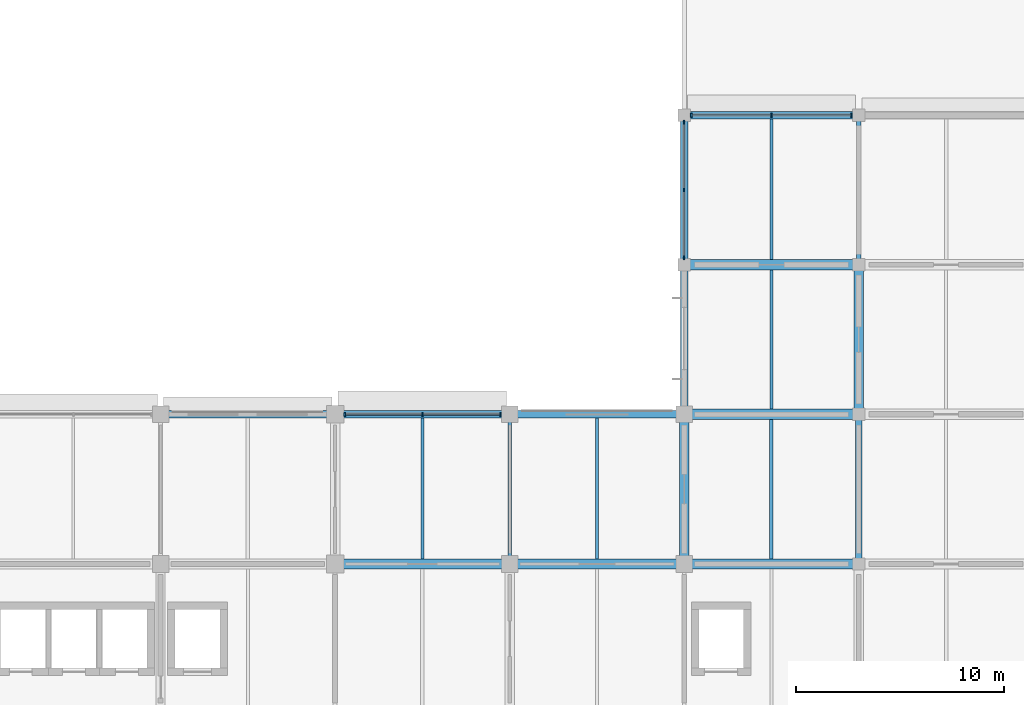
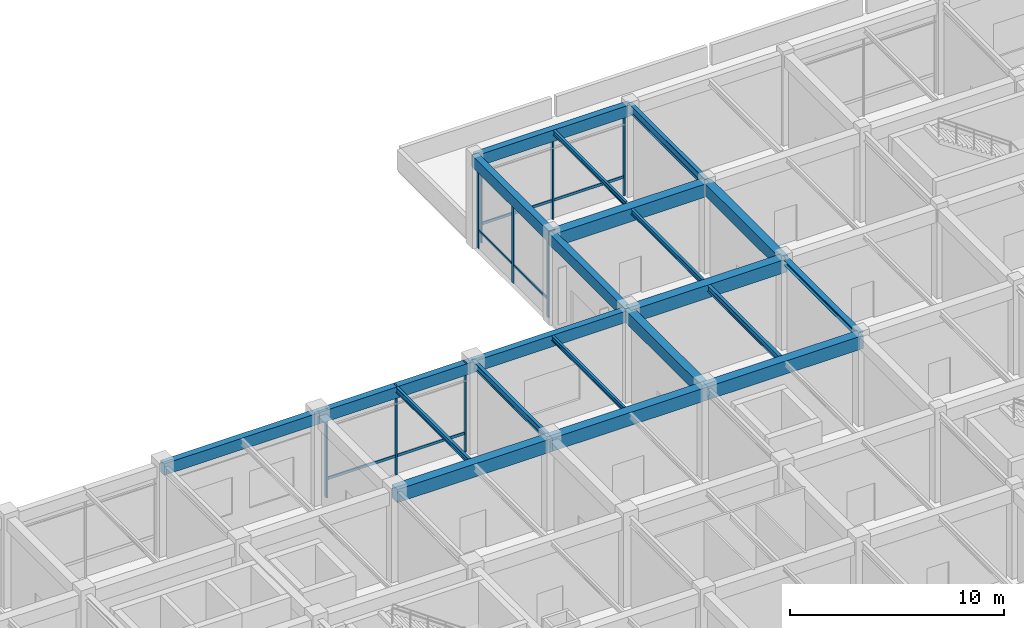
# One storey, part 13 of 38: 21 beams, 15 members, 3 elements without a shape of their own.
"""IFC4 building model written with IfcOpenShell, lengths in metres."""

from ifc_helpers import new_model, si_unit, derived_unit, direction, frame, origin, origin_2d, place, context, subcontext, project, spatial, rectangle, i_section, extrude, material, material_profile, profile_set, type_object, element, aggregate, save


model = new_model("IFC4")

# Units and contexts
model_context = context("Model", 3, precision=1e-05, world=origin(), true_north=direction((0.0, 1.0)))
body_context = subcontext(model_context, "Body", "Model", "MODEL_VIEW")
ifc_project = project(units=[si_unit("LENGTHUNIT", "METRE"), si_unit("AREAUNIT", "SQUARE_METRE"), si_unit("VOLUMEUNIT", "CUBIC_METRE"), si_unit("PLANEANGLEUNIT", "RADIAN"), si_unit("MASSUNIT", "GRAM", prefix="KILO"), derived_unit("THERMALTRANSMITTANCEUNIT", [(si_unit("MASSUNIT", "GRAM", prefix="KILO"), 1), (si_unit("TIMEUNIT", "SECOND"), -3), (si_unit("THERMODYNAMICTEMPERATUREUNIT", "KELVIN"), -1)])], contexts=[model_context])

# Site, building, storey
site_placement = place(None, origin())
site = spatial("IfcSite", under=ifc_project, at=site_placement, CompositionType="ELEMENT")
building_placement = place(site_placement, origin())
building = spatial("IfcBuilding", under=site, at=building_placement, Name="Veldstrom Oceanarium and Marine Research Institute", CompositionType="ELEMENT")
storey_placement = place(building_placement, frame((0.0, 0.0, 11.39990234375)))
storey = spatial("IfcBuildingStorey", under=building, at=storey_placement, Name="L02", CompositionType="ELEMENT", Elevation=11.39990234375)

# Curtain wall, members
ifc_material_1 = material(Name="Anodised Aluminium Framing", Category="aluminium")
curtain_wall_type_1 = type_object("IfcCurtainWallType", Name="ARC-CW-CW02", PredefinedType="USERDEFINED", material=ifc_material_1)
curtain_wall_1_placement = place(storey_placement, origin())
curtain_wall_1 = element("IfcCurtainWall", 1, at=curtain_wall_1_placement, inside=storey, type_object=curtain_wall_type_1, Name="Curtain Wall CW02 CW-L02-034", ObjectType="Curtain wall", PredefinedType="USERDEFINED")
ifc_material_2 = material(Name="Anodised Aluminium Framing", Category="aluminium")
ifc_material_profile_1 = material_profile(ifc_material_2, rectangle(XDim=0.074951171875, YDim=0.179931640625, at=origin_2d()), Name="ALU-MUL-75x180")
ifc_profile_set_1 = profile_set([ifc_material_profile_1], Name="Anodised Aluminium Framing")
member_type_1 = type_object("IfcMemberType", Name="ARC-MUL-ML1", PredefinedType="MULLION", material=ifc_profile_set_1)
member_1_placement = place(storey_placement, frame((101.264892578125, 72.0, 0.0), z_axis=(0.0, 0.0, 1.0), x_axis=(1.0, 0.0, 0.0)))
member_1 = element("IfcMember", 2, at=member_1_placement, type_object=member_type_1, Name="Curtain Wall Mullion CW-L02-034-MUL-1", PredefinedType="MULLION", context=body_context, shape_type="SweptSolid", body=[
    extrude(rectangle(XDim=0.074951171875, YDim=0.179931640625, at=origin_2d()), origin(), (0.0, 0.0, 1.0), 5.10009765625),
])
member_2_placement = place(storey_placement, frame((105.012451171875, 72.0, 0.0), z_axis=(0.0, 0.0, 1.0), x_axis=(1.0, 0.0, 0.0)))
member_2 = element("IfcMember", 3, at=member_2_placement, type_object=member_type_1, Name="Curtain Wall Mullion CW-L02-034-MUL-2", PredefinedType="MULLION", context=body_context, shape_type="SweptSolid", body=[
    extrude(rectangle(XDim=0.074951171875, YDim=0.179931640625, at=origin_2d()), origin(), (0.0, 0.0, 1.0), 5.10009765625),
])
member_3_placement = place(storey_placement, frame((108.760009765625, 72.0, 0.0), z_axis=(0.0, 0.0, 1.0), x_axis=(1.0, 0.0, 0.0)))
member_3 = element("IfcMember", 4, at=member_3_placement, type_object=member_type_1, Name="Curtain Wall Mullion CW-L02-034-MUL-3", PredefinedType="MULLION", context=body_context, shape_type="SweptSolid", body=[
    extrude(rectangle(XDim=0.074951171875, YDim=0.179931640625, at=origin_2d()), origin(), (0.0, 0.0, 1.0), 5.10009765625),
])

curtain_wall_2_placement = place(storey_placement, origin())
curtain_wall_2 = element("IfcCurtainWall", 5, at=curtain_wall_2_placement, inside=storey, type_object=curtain_wall_type_1, Name="Curtain Wall CW02 CW-L02-036", ObjectType="Curtain wall", PredefinedType="USERDEFINED")
member_4_placement = place(storey_placement, frame((117.93994140625, 86.39990234375, 0.0), z_axis=(0.0, 0.0, 1.0), x_axis=(1.0, 0.0, 0.0)))
member_4 = element("IfcMember", 6, at=member_4_placement, type_object=member_type_1, Name="Curtain Wall Mullion CW-L02-036-MUL-1", PredefinedType="MULLION", context=body_context, shape_type="SweptSolid", body=[
    extrude(rectangle(XDim=0.074951171875, YDim=0.179931640625, at=origin_2d()), origin(), (0.0, 0.0, 1.0), 5.10009765625),
])
member_5_placement = place(storey_placement, frame((121.800048828125, 86.39990234375, 0.0), z_axis=(0.0, 0.0, 1.0), x_axis=(1.0, 0.0, 0.0)))
member_5 = element("IfcMember", 7, at=member_5_placement, type_object=member_type_1, Name="Curtain Wall Mullion CW-L02-036-MUL-2", PredefinedType="MULLION", context=body_context, shape_type="SweptSolid", body=[
    extrude(rectangle(XDim=0.074951171875, YDim=0.179931640625, at=origin_2d()), origin(), (0.0, 0.0, 1.0), 5.10009765625),
])
member_6_placement = place(storey_placement, frame((125.659912109375, 86.39990234375, 0.0), z_axis=(0.0, 0.0, 1.0), x_axis=(1.0, 0.0, 0.0)))
member_6 = element("IfcMember", 8, at=member_6_placement, type_object=member_type_1, Name="Curtain Wall Mullion CW-L02-036-MUL-3", PredefinedType="MULLION", context=body_context, shape_type="SweptSolid", body=[
    extrude(rectangle(XDim=0.074951171875, YDim=0.179931640625, at=origin_2d()), origin(), (0.0, 0.0, 1.0), 5.10009765625),
])

ifc_material_3 = material(Name="Anodised Aluminium Framing", Category="aluminium")
curtain_wall_type_2 = type_object("IfcCurtainWallType", Name="ARC-CW-CW06", PredefinedType="USERDEFINED", material=ifc_material_3)
curtain_wall_3_placement = place(storey_placement, origin())
curtain_wall_3 = element("IfcCurtainWall", 9, at=curtain_wall_3_placement, inside=storey, type_object=curtain_wall_type_2, Name="Curtain Wall CW06 CW-L02-037", ObjectType="Curtain wall", PredefinedType="USERDEFINED")
member_7_placement = place(storey_placement, frame((117.60009765625, 79.5400390625, 0.0), z_axis=(0.0, 0.0, 1.0), x_axis=(1.0, 0.0, 0.0)))
member_7 = element("IfcMember", 10, at=member_7_placement, type_object=member_type_1, Name="Curtain Wall Mullion CW-L02-037-MUL-1", PredefinedType="MULLION", context=body_context, shape_type="SweptSolid", body=[
    extrude(rectangle(XDim=0.074951171875, YDim=0.179931640625, at=origin_2d()), origin(), (0.0, 0.0, 1.0), 5.10009765625),
])
member_8_placement = place(storey_placement, frame((117.60009765625, 82.800048828125, 0.0), z_axis=(0.0, 0.0, 1.0), x_axis=(1.0, 0.0, 0.0)))
member_8 = element("IfcMember", 11, at=member_8_placement, type_object=member_type_1, Name="Curtain Wall Mullion CW-L02-037-MUL-2", PredefinedType="MULLION", context=body_context, shape_type="SweptSolid", body=[
    extrude(rectangle(XDim=0.074951171875, YDim=0.179931640625, at=origin_2d()), origin(), (0.0, 0.0, 1.0), 5.10009765625),
])
member_9_placement = place(storey_placement, frame((117.60009765625, 86.06005859375, 0.0), z_axis=(0.0, 0.0, 1.0), x_axis=(1.0, 0.0, 0.0)))
member_9 = element("IfcMember", 12, at=member_9_placement, type_object=member_type_1, Name="Curtain Wall Mullion CW-L02-037-MUL-3", PredefinedType="MULLION", context=body_context, shape_type="SweptSolid", body=[
    extrude(rectangle(XDim=0.074951171875, YDim=0.179931640625, at=origin_2d()), origin(), (0.0, 0.0, 1.0), 5.10009765625),
])

# Member
ifc_material_4 = material(Name="Anodised Aluminium Framing", Category="aluminium")
ifc_material_profile_2 = material_profile(ifc_material_4, rectangle(XDim=0.074951171875, YDim=0.14990234375, at=origin_2d()), Name="ALU-TRN-75x150")
ifc_profile_set_2 = profile_set([ifc_material_profile_2], Name="Anodised Aluminium Framing")
member_type_2 = type_object("IfcMemberType", Name="ARC-TRN-TR1", PredefinedType="USERDEFINED", material=ifc_profile_set_2)
member_10_placement = place(storey_placement, frame((101.304931640625, 72.0, 1.050048828125), z_axis=(1.0, 0.0, 0.0), x_axis=(0.0, 1.0, 0.0)))
member_10 = element("IfcMember", 13, at=member_10_placement, type_object=member_type_2, Name="Curtain Wall Transom CW-L02-034-TRN-1", ObjectType="Transom", PredefinedType="USERDEFINED", context=body_context, shape_type="SweptSolid", body=[
    extrude(rectangle(XDim=0.074951171875, YDim=0.14990234375, at=origin_2d()), origin(), (0.0, 0.0, 1.0), 3.66748046875),
])

member_11_placement = place(storey_placement, frame((105.052490234375, 72.0, 1.050048828125), z_axis=(1.0, 0.0, 0.0), x_axis=(0.0, 1.0, 0.0)))
member_11 = element("IfcMember", 14, at=member_11_placement, type_object=member_type_2, Name="Curtain Wall Transom CW-L02-034-TRN-2", ObjectType="Transom", PredefinedType="USERDEFINED", context=body_context, shape_type="SweptSolid", body=[
    extrude(rectangle(XDim=0.074951171875, YDim=0.14990234375, at=origin_2d()), origin(), (0.0, 0.0, 1.0), 3.66748046875),
])

aggregate(curtain_wall_1, [member_1, member_2, member_3, member_10, member_11])

member_12_placement = place(storey_placement, frame((117.97998046875, 86.39990234375, 1.050048828125), z_axis=(1.0, 0.0, 0.0), x_axis=(0.0, 1.0, 0.0)))
member_12 = element("IfcMember", 15, at=member_12_placement, type_object=member_type_2, Name="Curtain Wall Transom CW-L02-036-TRN-1", ObjectType="Transom", PredefinedType="USERDEFINED", context=body_context, shape_type="SweptSolid", body=[
    extrude(rectangle(XDim=0.074951171875, YDim=0.14990234375, at=origin_2d()), origin(), (0.0, 0.0, 1.0), 3.780029296875),
])

member_13_placement = place(storey_placement, frame((121.840087890625, 86.39990234375, 1.050048828125), z_axis=(1.0, 0.0, 0.0), x_axis=(0.0, 1.0, 0.0)))
member_13 = element("IfcMember", 16, at=member_13_placement, type_object=member_type_2, Name="Curtain Wall Transom CW-L02-036-TRN-2", ObjectType="Transom", PredefinedType="USERDEFINED", context=body_context, shape_type="SweptSolid", body=[
    extrude(rectangle(XDim=0.074951171875, YDim=0.14990234375, at=origin_2d()), origin(), (0.0, 0.0, 1.0), 3.780029296875),
])

aggregate(curtain_wall_2, [member_4, member_5, member_6, member_12, member_13])

ifc_material_5 = material(Name="Anodised Aluminium Framing", Category="aluminium")
ifc_material_profile_3 = material_profile(ifc_material_5, rectangle(XDim=0.06494140625, YDim=0.1201171875, at=origin_2d()), Name="ALU-TRN-65x120")
ifc_profile_set_3 = profile_set([ifc_material_profile_3], Name="Anodised Aluminium Framing")
member_type_3 = type_object("IfcMemberType", Name="ARC-TRN-TR2", PredefinedType="USERDEFINED", material=ifc_profile_set_3)
member_14_placement = place(storey_placement, frame((117.60009765625, 79.580078125, 1.050048828125), z_axis=(0.0, 1.0, 0.0), x_axis=(-1.0, 0.0, 0.0)))
member_14 = element("IfcMember", 17, at=member_14_placement, type_object=member_type_3, Name="Curtain Wall Transom CW-L02-037-TRN-1", ObjectType="Transom", PredefinedType="USERDEFINED", context=body_context, shape_type="SweptSolid", body=[
    extrude(rectangle(XDim=0.06494140625, YDim=0.1201171875, at=origin_2d()), origin(), (0.0, 0.0, 1.0), 3.179931640625),
])

member_15_placement = place(storey_placement, frame((117.60009765625, 82.840087890625, 1.050048828125), z_axis=(0.0, 1.0, 0.0), x_axis=(-1.0, 0.0, 0.0)))
member_15 = element("IfcMember", 18, at=member_15_placement, type_object=member_type_3, Name="Curtain Wall Transom CW-L02-037-TRN-2", ObjectType="Transom", PredefinedType="USERDEFINED", context=body_context, shape_type="SweptSolid", body=[
    extrude(rectangle(XDim=0.06494140625, YDim=0.1201171875, at=origin_2d()), origin(), (0.0, 0.0, 1.0), 3.179931640625),
])

aggregate(curtain_wall_3, [member_7, member_8, member_9, member_14, member_15])

# Beams
ifc_material_6 = material(Name="Concrete C40/50", Category="concrete")
ifc_material_profile_4 = material_profile(ifc_material_6, rectangle(XDim=0.5, YDim=0.75, at=origin_2d()), Name="RC-BM-500x750")
ifc_profile_set_4 = profile_set([ifc_material_profile_4], Name="Concrete C40/50")
beam_type_1 = type_object("IfcBeamType", Name="STR-BM-B03", PredefinedType="BEAM", material=ifc_profile_set_4)
beam_1_placement = place(storey_placement, frame((100.800048828125, 64.800048828125, 4.72021484375), z_axis=(1.0, 0.0, 0.0), x_axis=(0.0, 1.0, 0.0)))
element("IfcBeam", 19, at=beam_1_placement, inside=storey, type_object=beam_type_1, Name="Primary Beam B03 L02-1575", PredefinedType="BEAM", context=body_context, shape_type="SweptSolid", body=[
    extrude(rectangle(XDim=0.5, YDim=0.75, at=origin_2d()), origin(), (0.0, 0.0, 1.0), 8.39990234375),
])
beam_2_placement = place(storey_placement, frame((109.199951171875, 64.800048828125, 4.72021484375), z_axis=(1.0, 0.0, 0.0), x_axis=(0.0, 1.0, 0.0)))
element("IfcBeam", 20, at=beam_2_placement, inside=storey, type_object=beam_type_1, Name="Primary Beam B03 L02-1580", PredefinedType="BEAM", context=body_context, shape_type="SweptSolid", body=[
    extrude(rectangle(XDim=0.5, YDim=0.75, at=origin_2d()), origin(), (0.0, 0.0, 1.0), 8.400146484375),
])
for number, where, z_axis, x_axis, name in (
    (21, (117.60009765625, 64.800048828125, 4.72021484375), (1.0, 0.0, 0.0), (0.0, 1.0, 0.0), "Primary Beam B03 L02-1585"),
    (22, (117.60009765625, 72.0, 4.72021484375), (1.0, 0.0, 0.0), (0.0, 1.0, 0.0), "Primary Beam B03 L02-1586"),
    (23, (117.60009765625, 79.199951171875, 4.72021484375), (1.0, 0.0, 0.0), (0.0, 1.0, 0.0), "Primary Beam B03 L02-1587"),
):
    element("IfcBeam", number, at=place(storey_placement, frame(where, z_axis=z_axis, x_axis=x_axis)), inside=storey, type_object=beam_type_1, Name=name, PredefinedType="BEAM", context=body_context, shape_type="SweptSolid", body=[
        extrude(rectangle(XDim=0.5, YDim=0.75, at=origin_2d()), origin(), (0.0, 0.0, 1.0), 8.39990234375),
    ])
ifc_material_7 = material(Name="Concrete C40/50", Category="concrete")
ifc_material_profile_5 = material_profile(ifc_material_7, rectangle(XDim=0.449951171875, YDim=0.699951171875, at=origin_2d()), Name="RC-BM-450x700")
ifc_profile_set_5 = profile_set([ifc_material_profile_5], Name="Concrete C40/50")
beam_type_2 = type_object("IfcBeamType", Name="STR-BM-B04", PredefinedType="BEAM", material=ifc_profile_set_5)
for number, where, z_axis, x_axis, name in (
    (24, (117.60009765625, 64.800048828125, 4.7451171875), (0.0, 1.0, 0.0), (-1.0, 0.0, 0.0), "Primary Beam B04 L02-1708"),
    (25, (126.0, 72.0, 4.7451171875), (0.0, 1.0, 0.0), (-1.0, 0.0, 0.0), "Primary Beam B04 L02-1715"),
):
    element("IfcBeam", number, at=place(storey_placement, frame(where, z_axis=z_axis, x_axis=x_axis)), inside=storey, type_object=beam_type_2, Name=name, PredefinedType="BEAM", context=body_context, shape_type="SweptSolid", body=[
        extrude(rectangle(XDim=0.449951171875, YDim=0.699951171875, at=origin_2d()), origin(), (0.0, 0.0, 1.0), 7.199951171875),
    ])
ifc_material_8 = material(Name="Steel S355JR", Category="steel")
ifc_material_profile_6 = material_profile(ifc_material_8, i_section(OverallWidth=0.300048828125, OverallDepth=0.2900390625, WebThickness=0.008544921875, FlangeThickness=0.013916015625, FilletRadius=0.027099609375, at=origin_2d()), Name="HEA 300")
ifc_profile_set_6 = profile_set([ifc_material_profile_6], Name="Steel S355JR")
beam_type_3 = type_object("IfcBeamType", Name="STR-BM-SB10", PredefinedType="BEAM", material=ifc_profile_set_6)
beam_3_placement = place(storey_placement, frame((126.0, 64.800048828125, 4.9501953125), z_axis=(0.0, 1.0, 0.0), x_axis=(-1.0, 0.0, 0.0)))
element("IfcBeam", 26, at=beam_3_placement, inside=storey, type_object=beam_type_3, Name="Steel Tie Beam SB10 L02-1714", PredefinedType="BEAM", context=body_context, shape_type="SweptSolid", body=[
    extrude(i_section(OverallWidth=0.300048828125, OverallDepth=0.2900390625, WebThickness=0.008544921875, FlangeThickness=0.013916015625, FilletRadius=0.027099609375, at=origin_2d()), origin(), (0.0, 0.0, 1.0), 7.199951171875),
])
ifc_material_9 = material(Name="Steel S355JR", Category="steel")
ifc_material_profile_7 = material_profile(ifc_material_9, i_section(OverallWidth=0.199951171875, OverallDepth=0.5, WebThickness=0.01025390625, FlangeThickness=0.01611328125, FilletRadius=0.02099609375, at=origin_2d()), Name="IPE 500")
ifc_profile_set_7 = profile_set([ifc_material_profile_7], Name="Steel S355JR")
beam_type_4 = type_object("IfcBeamType", Name="STR-BM-SB6", PredefinedType="BEAM", material=ifc_profile_set_7)
beam_4_placement = place(storey_placement, frame((126.0, 79.199951171875, 4.920166015625), z_axis=(0.0, 1.0, 0.0), x_axis=(-1.0, 0.0, 0.0)))
element("IfcBeam", 27, at=beam_4_placement, inside=storey, type_object=beam_type_4, Name="Steel Tie Beam SB6 L02-1716", PredefinedType="BEAM", context=body_context, shape_type="SweptSolid", body=[
    extrude(i_section(OverallWidth=0.199951171875, OverallDepth=0.5, WebThickness=0.01025390625, FlangeThickness=0.01611328125, FilletRadius=0.02099609375, at=origin_2d()), origin(), (0.0, 0.0, 1.0), 7.199951171875),
])
ifc_material_10 = material(Name="Steel S355JR", Category="steel")
ifc_material_profile_8 = material_profile(ifc_material_10, i_section(OverallWidth=0.179931640625, OverallDepth=0.39990234375, WebThickness=0.008544921875, FlangeThickness=0.013427734375, FilletRadius=0.02099609375, at=origin_2d()), Name="IPE 400")
ifc_profile_set_8 = profile_set([ifc_material_profile_8], Name="Steel S355JR")
beam_type_5 = type_object("IfcBeamType", Name="STR-BM-SB8", PredefinedType="BEAM", material=ifc_profile_set_8)
beam_5_placement = place(storey_placement, frame((109.199951171875, 64.800048828125, 4.89501953125), z_axis=(0.0, 1.0, 0.0), x_axis=(-1.0, 0.0, 0.0)))
element("IfcBeam", 28, at=beam_5_placement, inside=storey, type_object=beam_type_5, Name="Steel Tie Beam SB8 L02-1704", PredefinedType="BEAM", context=body_context, shape_type="SweptSolid", body=[
    extrude(i_section(OverallWidth=0.179931640625, OverallDepth=0.39990234375, WebThickness=0.008544921875, FlangeThickness=0.013427734375, FilletRadius=0.02099609375, at=origin_2d()), origin(), (0.0, 0.0, 1.0), 7.199951171875),
])
ifc_material_11 = material(Name="Steel S355JR", Category="steel")
ifc_material_profile_9 = material_profile(ifc_material_11, i_section(OverallWidth=0.169921875, OverallDepth=0.360107421875, WebThickness=0.008056640625, FlangeThickness=0.0126953125, FilletRadius=0.01806640625, at=origin_2d()), Name="IPE 360")
ifc_profile_set_9 = profile_set([ifc_material_profile_9], Name="Steel S355JR")
beam_type_6 = type_object("IfcBeamType", Name="STR-JST-SJ1", PredefinedType="JOIST", material=ifc_profile_set_9)
beam_6_placement = place(storey_placement, frame((121.800048828125, 65.050048828125, 4.9150390625), z_axis=(0.0, 1.0, 0.0), x_axis=(-1.0, 0.0, 0.0)))
element("IfcBeam", 29, at=beam_6_placement, inside=storey, type_object=beam_type_6, Name="Secondary Joist SJ1 L02-1814", PredefinedType="JOIST", context=body_context, shape_type="SweptSolid", body=[
    extrude(i_section(OverallWidth=0.169921875, OverallDepth=0.360107421875, WebThickness=0.008056640625, FlangeThickness=0.0126953125, FilletRadius=0.01806640625, at=origin_2d()), origin(), (0.0, 0.0, 1.0), 6.699951171875),
])
ifc_material_12 = material(Name="Steel S355JR", Category="steel")
ifc_material_profile_10 = material_profile(ifc_material_12, i_section(OverallWidth=0.14990234375, OverallDepth=0.300048828125, WebThickness=0.007080078125, FlangeThickness=0.0107421875, FilletRadius=0.014892578125, at=origin_2d()), Name="IPE 300")
ifc_profile_set_10 = profile_set([ifc_material_profile_10], Name="Steel S355JR")
beam_type_7 = type_object("IfcBeamType", Name="STR-JST-SJ2", PredefinedType="JOIST", material=ifc_profile_set_10)
beam_7_placement = place(storey_placement, frame((105.0, 65.050048828125, 4.945068359375), z_axis=(0.0, 1.0, 0.0), x_axis=(-1.0, 0.0, 0.0)))
element("IfcBeam", 30, at=beam_7_placement, inside=storey, type_object=beam_type_7, Name="Secondary Joist SJ2 L02-1806", PredefinedType="JOIST", context=body_context, shape_type="SweptSolid", body=[
    extrude(i_section(OverallWidth=0.14990234375, OverallDepth=0.300048828125, WebThickness=0.007080078125, FlangeThickness=0.0107421875, FilletRadius=0.014892578125, at=origin_2d()), origin(), (0.0, 0.0, 1.0), 6.77490234375),
])
beam_8_placement = place(storey_placement, frame((121.800048828125, 72.25, 4.945068359375), z_axis=(0.0, 1.0, 0.0), x_axis=(-1.0, 0.0, 0.0)))
element("IfcBeam", 31, at=beam_8_placement, inside=storey, type_object=beam_type_7, Name="Secondary Joist SJ2 L02-1815", PredefinedType="JOIST", context=body_context, shape_type="SweptSolid", body=[
    extrude(i_section(OverallWidth=0.14990234375, OverallDepth=0.300048828125, WebThickness=0.007080078125, FlangeThickness=0.0107421875, FilletRadius=0.014892578125, at=origin_2d()), origin(), (0.0, 0.0, 1.0), 6.699951171875),
])
ifc_material_13 = material(Name="Steel S355JR", Category="steel")
ifc_material_profile_11 = material_profile(ifc_material_13, i_section(OverallWidth=0.135009765625, OverallDepth=0.27001953125, WebThickness=0.006591796875, FlangeThickness=0.01025390625, FilletRadius=0.014892578125, at=origin_2d()), Name="IPE 270")
ifc_profile_set_11 = profile_set([ifc_material_profile_11], Name="Steel S355JR")
beam_type_8 = type_object("IfcBeamType", Name="STR-JST-SJ3", PredefinedType="JOIST", material=ifc_profile_set_11)
beam_9_placement = place(storey_placement, frame((113.39990234375, 65.050048828125, 4.960205078125), z_axis=(0.0, 1.0, 0.0), x_axis=(-1.0, 0.0, 0.0)))
element("IfcBeam", 32, at=beam_9_placement, inside=storey, type_object=beam_type_8, Name="Secondary Joist SJ3 L02-1810", PredefinedType="JOIST", context=body_context, shape_type="SweptSolid", body=[
    extrude(i_section(OverallWidth=0.135009765625, OverallDepth=0.27001953125, WebThickness=0.006591796875, FlangeThickness=0.01025390625, FilletRadius=0.014892578125, at=origin_2d()), origin(), (0.0, 0.0, 1.0), 6.77490234375),
])
beam_10_placement = place(storey_placement, frame((121.800048828125, 79.449951171875, 5.03515625), z_axis=(0.0, 1.0, 0.0), x_axis=(-1.0, 0.0, 0.0)))
element("IfcBeam", 33, at=beam_10_placement, inside=storey, type_object=beam_type_8, Name="Secondary Joist SJ3 L02-1816", PredefinedType="JOIST", context=body_context, shape_type="SweptSolid", body=[
    extrude(i_section(OverallWidth=0.135009765625, OverallDepth=0.27001953125, WebThickness=0.006591796875, FlangeThickness=0.01025390625, FilletRadius=0.014892578125, at=origin_2d()), origin(), (0.0, 0.0, 1.0), 6.775146484375),
])
ifc_material_14 = material(Name="Concrete C40/50", Category="concrete")
ifc_material_profile_12 = material_profile(ifc_material_14, rectangle(XDim=0.35009765625, YDim=0.64990234375, at=origin_2d()), Name="RC-SPN-350x650")
ifc_profile_set_12 = profile_set([ifc_material_profile_12], Name="Concrete C40/50")
beam_type_9 = type_object("IfcBeamType", Name="STR-SPN-SP1", PredefinedType="SPANDREL", material=ifc_profile_set_12)
beam_11_placement = place(storey_placement, frame((92.39990234375, 72.0, 4.77001953125), z_axis=(1.0, 0.0, 0.0), x_axis=(0.0, 1.0, 0.0)))
element("IfcBeam", 34, at=beam_11_placement, inside=storey, type_object=beam_type_9, Name="Perimeter Spandrel SPB1 L02-1571", PredefinedType="SPANDREL", context=body_context, shape_type="SweptSolid", body=[
    extrude(rectangle(XDim=0.35009765625, YDim=0.64990234375, at=origin_2d()), origin(), (0.0, 0.0, 1.0), 8.400146484375),
])
beam_12_placement = place(storey_placement, frame((100.800048828125, 72.0, 4.77001953125), z_axis=(1.0, 0.0, 0.0), x_axis=(0.0, 1.0, 0.0)))
element("IfcBeam", 35, at=beam_12_placement, inside=storey, type_object=beam_type_9, Name="Perimeter Spandrel SPB1 L02-1576", PredefinedType="SPANDREL", context=body_context, shape_type="SweptSolid", body=[
    extrude(rectangle(XDim=0.35009765625, YDim=0.64990234375, at=origin_2d()), origin(), (0.0, 0.0, 1.0), 8.39990234375),
])
beam_13_placement = place(storey_placement, frame((109.199951171875, 72.0, 4.77001953125), z_axis=(1.0, 0.0, 0.0), x_axis=(0.0, 1.0, 0.0)))
element("IfcBeam", 36, at=beam_13_placement, inside=storey, type_object=beam_type_9, Name="Perimeter Spandrel SPB1 L02-1581", PredefinedType="SPANDREL", context=body_context, shape_type="SweptSolid", body=[
    extrude(rectangle(XDim=0.35009765625, YDim=0.64990234375, at=origin_2d()), origin(), (0.0, 0.0, 1.0), 8.400146484375),
])
beam_14_placement = place(storey_placement, frame((117.60009765625, 86.39990234375, 4.84521484375), z_axis=(1.0, 0.0, 0.0), x_axis=(0.0, 1.0, 0.0)))
element("IfcBeam", 37, at=beam_14_placement, inside=storey, type_object=beam_type_9, Name="Perimeter Spandrel SPB1 L02-1588", PredefinedType="SPANDREL", context=body_context, shape_type="SweptSolid", body=[
    extrude(rectangle(XDim=0.35009765625, YDim=0.64990234375, at=origin_2d()), origin(), (0.0, 0.0, 1.0), 8.39990234375),
])
for number, where, z_axis, x_axis, name in (
    (38, (117.60009765625, 72.0, 4.77001953125), (0.0, 1.0, 0.0), (-1.0, 0.0, 0.0), "Perimeter Spandrel SPB1 L02-1709"),
    (39, (117.60009765625, 79.199951171875, 4.84521484375), (0.0, 1.0, 0.0), (-1.0, 0.0, 0.0), "Perimeter Spandrel SPB1 L02-1710"),
):
    element("IfcBeam", number, at=place(storey_placement, frame(where, z_axis=z_axis, x_axis=x_axis)), inside=storey, type_object=beam_type_9, Name=name, PredefinedType="SPANDREL", context=body_context, shape_type="SweptSolid", body=[
        extrude(rectangle(XDim=0.35009765625, YDim=0.64990234375, at=origin_2d()), origin(), (0.0, 0.0, 1.0), 7.199951171875),
    ])

save(model, "model.ifc")
